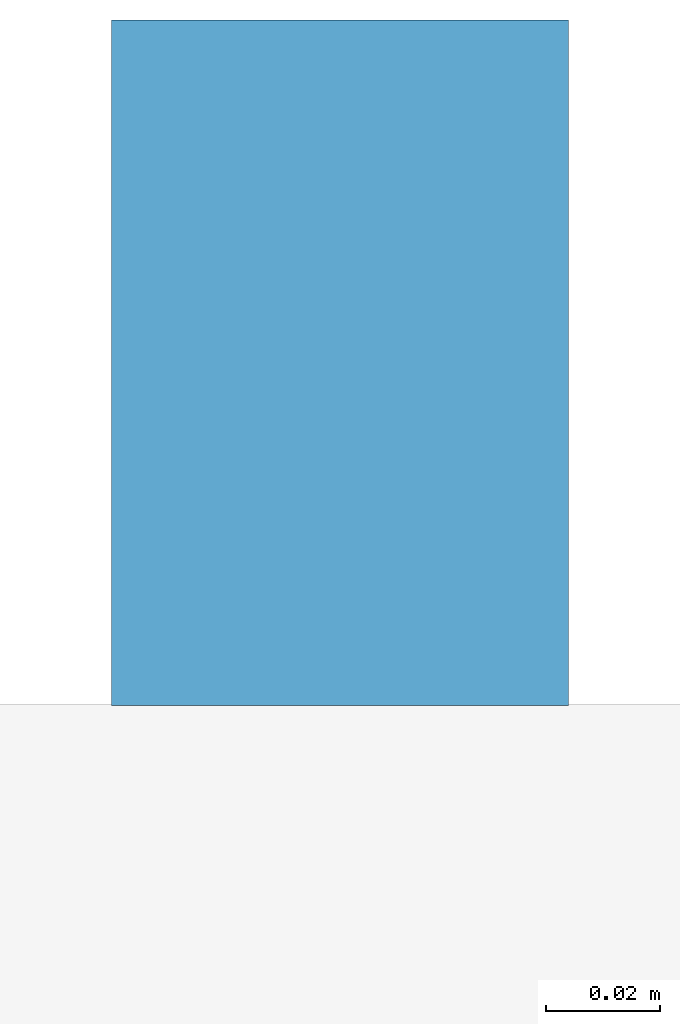
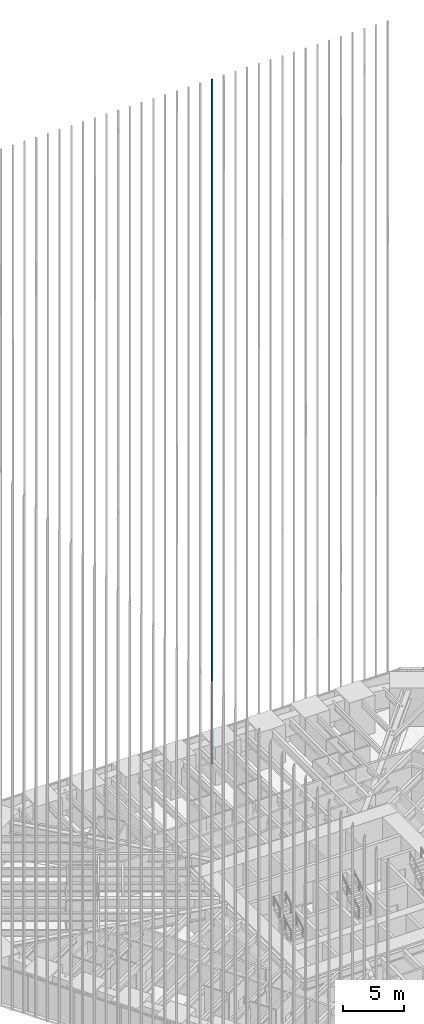
# One storey, part 214 of 256: 1 member, 1 element without a shape of its own.
"""IFC4 building model written with IfcOpenShell, lengths in metres."""

from ifc_helpers import new_model, si_unit, direction, frame, origin, origin_2d, place, context, subcontext, project, spatial, rectangle, extrude, material, material_profile, profile_set, type_object, element, aggregate, save


model = new_model("IFC4")

# Units and contexts
model_context = context("Model", 3, precision=1e-05, world=origin(), true_north=direction((0.0, 1.0)))
body_context = subcontext(model_context, "Body", "Model", "MODEL_VIEW")
ifc_project = project(units=[si_unit("LENGTHUNIT", "METRE"), si_unit("AREAUNIT", "SQUARE_METRE"), si_unit("VOLUMEUNIT", "CUBIC_METRE"), si_unit("PLANEANGLEUNIT", "RADIAN"), si_unit("MASSUNIT", "GRAM", prefix="KILO")], contexts=[model_context])

# Site, building, storey
site_placement = place(None, origin())
site = spatial("IfcSite", under=ifc_project, at=site_placement, CompositionType="ELEMENT")
building_placement = place(site_placement, origin())
building = spatial("IfcBuilding", under=site, at=building_placement, Name="Sandreach Pilgrim Tower", CompositionType="ELEMENT")
storey_placement = place(building_placement, frame((0.0, 0.0, 23.0)))
storey = spatial("IfcBuildingStorey", under=building, at=storey_placement, Name="L04", CompositionType="ELEMENT", Elevation=23.0)

# Curtain wall, member
ifc_material_1 = material(Name="Aluminium framed curtain wall", Category="aluminium")
curtain_wall_type = type_object("IfcCurtainWallType", Name="Hostel tower curtain wall", PredefinedType="NOTDEFINED", material=ifc_material_1)
curtain_wall_placement = place(storey_placement, origin())
curtain_wall = element("IfcCurtainWall", 1, at=curtain_wall_placement, inside=storey, type_object=curtain_wall_type, Name="CW-1 L04 N", PredefinedType="NOTDEFINED")
ifc_material_2 = material(Name="Extruded terracotta on aluminium core", Category="masonry")
ifc_material_profile = material_profile(ifc_material_2, rectangle(XDim=0.080078125, YDim=0.1201171875, at=origin_2d()), Name="TBN 80X120")
ifc_profile_set = profile_set([ifc_material_profile], Name="Extruded terracotta on aluminium core")
member_type = type_object("IfcMemberType", Name="Terracotta baguette north", PredefinedType="USERDEFINED", material=ifc_profile_set)
member_placement = place(storey_placement, frame((2.208984375, 24.30859375, 0.0), z_axis=(0.0, 0.0, 1.0), x_axis=(1.0, 0.0, 0.0)))
member = element("IfcMember", 2, at=member_placement, type_object=member_type, Name="Baguette Z1 N20", ObjectType="BAGUETTE", PredefinedType="USERDEFINED", context=body_context, shape_type="SweptSolid", body=[
    extrude(rectangle(XDim=0.080078125, YDim=0.1201171875, at=origin_2d()), origin(), (0.0, 0.0, 1.0), 68.239990234375),
])
aggregate(curtain_wall, [member])

save(model, "model.ifc")
